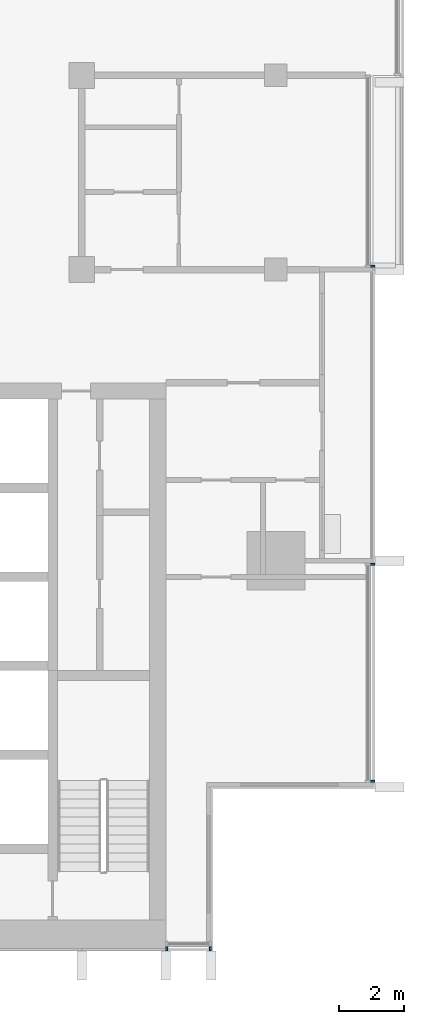
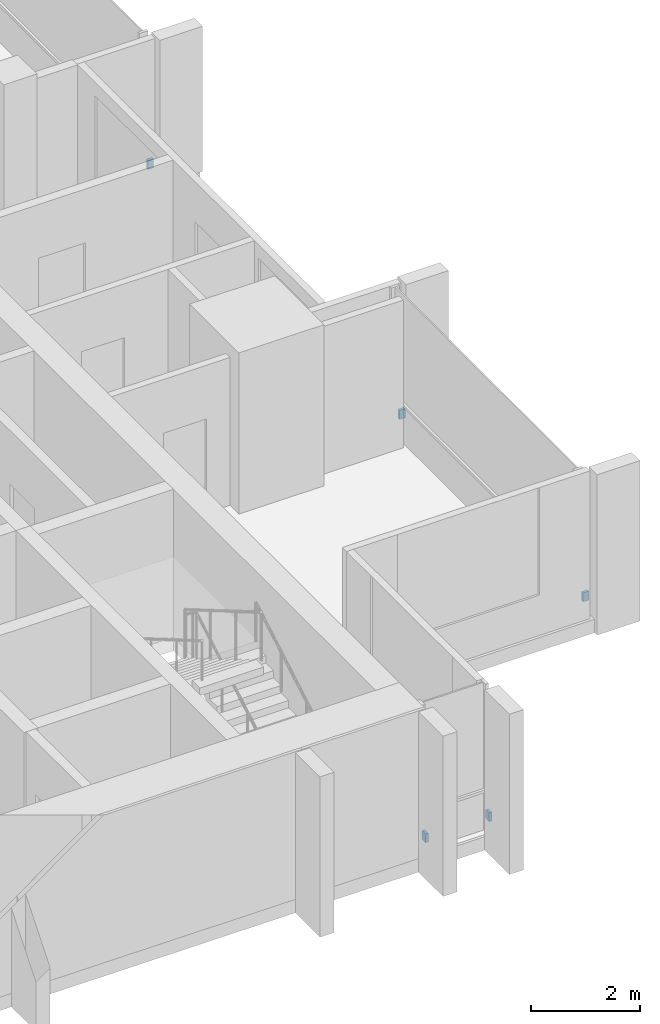
# One storey, part 12 of 15: 5 discrete accessories.
"""IFC4 building model written with IfcOpenShell, lengths in metres."""

from ifc_helpers import new_model, si_unit, direction, frame, origin, origin_2d, place, context, subcontext, project, spatial, rectangle, extrude, material, type_object, element, save


model = new_model("IFC4")

# Units and contexts
model_context = context("Model", 3, precision=1e-05, world=origin(), true_north=direction((0.0, 1.0)))
body_context = subcontext(model_context, "Body", "Model", "MODEL_VIEW")
ifc_project = project(units=[si_unit("LENGTHUNIT", "METRE"), si_unit("AREAUNIT", "SQUARE_METRE"), si_unit("VOLUMEUNIT", "CUBIC_METRE"), si_unit("PLANEANGLEUNIT", "RADIAN"), si_unit("MASSUNIT", "GRAM", prefix="KILO")], contexts=[model_context])

# Site, building, storey
site_placement = place(None, origin())
site = spatial("IfcSite", under=ifc_project, at=site_placement, CompositionType="ELEMENT")
building_placement = place(site_placement, origin())
building = spatial("IfcBuilding", under=site, at=building_placement, Name="Finial Court Residences", CompositionType="ELEMENT")
storey_placement = place(building_placement, frame((0.0, 0.0, 266.300048828125)))
storey = spatial("IfcBuildingStorey", under=building, at=storey_placement, Name="L67", CompositionType="ELEMENT", Elevation=266.300048828125)

# Discrete accessories
ifc_material = material(Name="Stainless steel 316", Category="steel")
discrete_accessory_type = type_object("IfcDiscreteAccessoryType", Name="Fin bracket, stainless steel 60 x 122 x 200", PredefinedType="BRACKET", material=ifc_material)
for number, where, z_axis, x_axis, name in (
    (1, (19.498779296875, -20.320068359375, 0.2998046875), (0.0, 0.0, 1.0), (1.0, 0.0, 0.0), "E-L67-FIN-E7-BRK"),
    (2, (19.498779296875, -13.60498046875, 0.2998046875), (0.0, 0.0, 1.0), (1.0, 0.0, 0.0), "E-L67-FIN-E8-BRK"),
    (3, (19.498779296875, -4.39501953125, 0.2998046875), (0.0, 0.0, 1.0), (1.0, 0.0, 0.0), "E-L67-FIN-E9-BRK"),
):
    element("IfcDiscreteAccessory", number, at=place(storey_placement, frame(where, z_axis=z_axis, x_axis=x_axis)), inside=storey, type_object=discrete_accessory_type, Name=name, PredefinedType="BRACKET", context=body_context, shape_type="SweptSolid", body=[
        extrude(rectangle(XDim=0.12255859375, YDim=0.06005859375, at=origin_2d()), origin(), (0.0, 0.0, 1.0), 0.199951171875),
    ])
for number, where, z_axis, x_axis, name in (
    (4, (13.1298828125, -25.498779296875, 0.2998046875), (0.0, 0.0, 1.0), (1.0, 0.0, 0.0), "E-L67-FIN-S19-BRK"),
    (5, (14.469970703125, -25.498779296875, 0.2998046875), (0.0, 0.0, 1.0), (1.0, 0.0, 0.0), "E-L67-FIN-S20-BRK"),
):
    element("IfcDiscreteAccessory", number, at=place(storey_placement, frame(where, z_axis=z_axis, x_axis=x_axis)), inside=storey, type_object=discrete_accessory_type, Name=name, PredefinedType="BRACKET", context=body_context, shape_type="SweptSolid", body=[
        extrude(rectangle(XDim=0.06005859375, YDim=0.12255859375, at=origin_2d()), origin(), (0.0, 0.0, 1.0), 0.199951171875),
    ])

save(model, "model.ifc")
